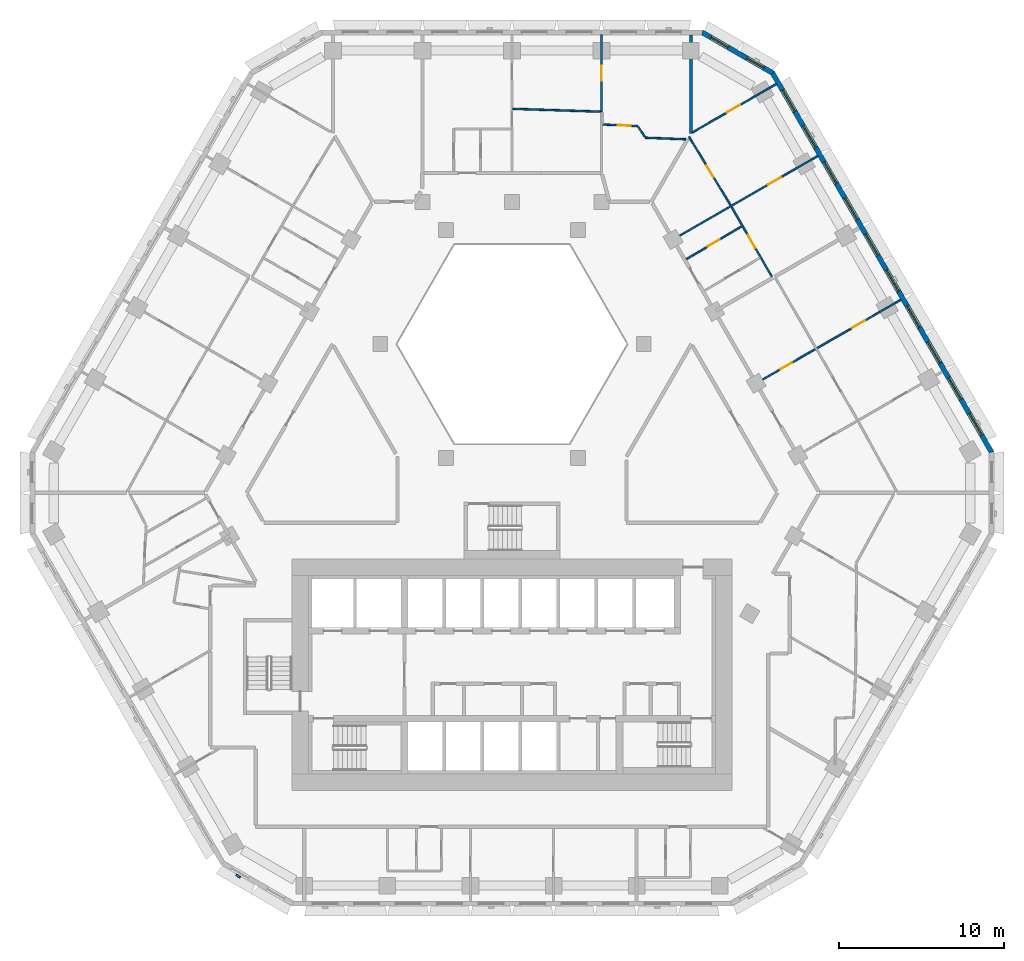
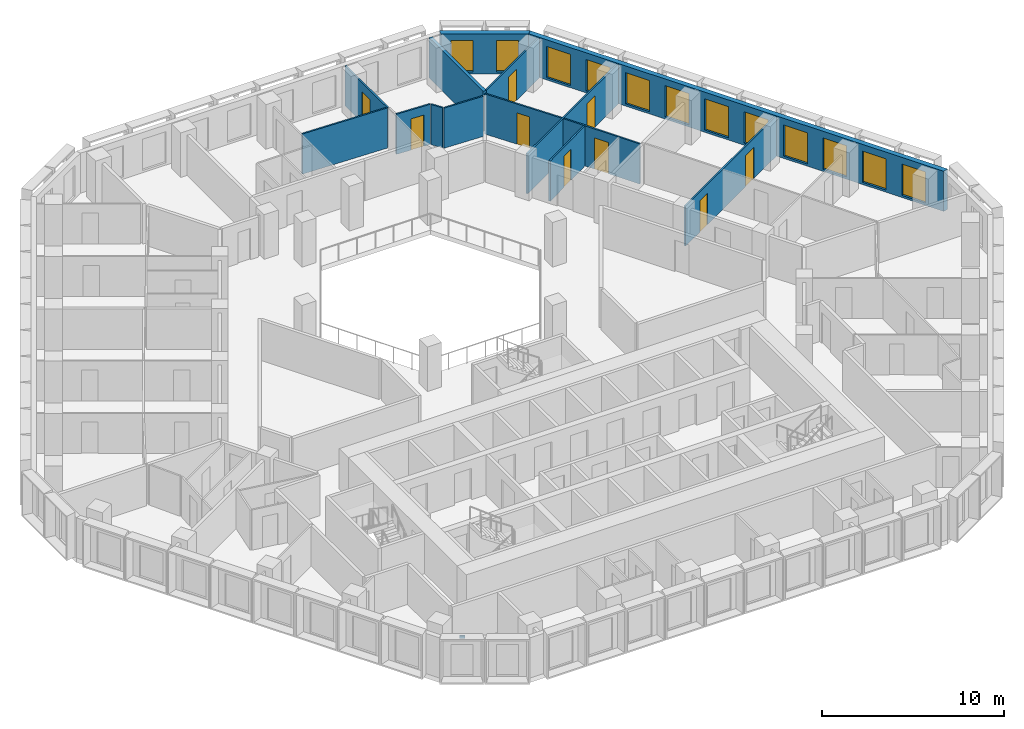
# One storey, part 10 of 18: 14 walls, 12 windows, 9 doors, 1 discrete accessory, 21 openings.
"""IFC4 building model written with IfcOpenShell, lengths in metres."""

from ifc_helpers import new_model, si_unit, direction, frame, frame_2d, origin, place, context, subcontext, project, spatial, polyline, rectangle, outline, extrude, source, transform, mapped, material, layer, layer_set, type_object, type_shapes, element, fill, save


model = new_model("IFC4")

# Units and contexts
model_context = context("Model", 3, precision=1e-05, world=origin(), true_north=direction((0.0, 1.0)))
body_context = subcontext(model_context, "Body", "Model", "MODEL_VIEW")
ifc_project = project(units=[si_unit("LENGTHUNIT", "METRE"), si_unit("AREAUNIT", "SQUARE_METRE"), si_unit("VOLUMEUNIT", "CUBIC_METRE"), si_unit("PLANEANGLEUNIT", "RADIAN"), si_unit("MASSUNIT", "GRAM", prefix="KILO")], contexts=[model_context])

# Site, building, storey
site_placement = place(None, origin())
site = spatial("IfcSite", under=ifc_project, at=site_placement, CompositionType="ELEMENT")
building_placement = place(site_placement, origin())
building = spatial("IfcBuilding", under=site, at=building_placement, Name="Beryl Residences", CompositionType="ELEMENT")
storey_placement = place(building_placement, frame((0.0, 0.0, 93.0)))
storey = spatial("IfcBuildingStorey", under=building, at=storey_placement, Name="L28", CompositionType="ELEMENT", Elevation=93.0)

# Wall, openings, windows
ifc_material_1 = material(Name="Composite metal panel with mineral wool insulation")
ifc_layer_1 = layer(ifc_material_1, 0.300048828125)
ifc_layer_set_1 = layer_set([ifc_layer_1], Name="ES1 pale metal composite panel wall 300 mm")
wall_type_1 = type_object("IfcWallType", Name="ES1 pale metal composite panel wall 300 mm", PredefinedType="SOLIDWALL", material=ifc_layer_set_1)
wall_1_placement = place(storey_placement, frame((29.027099609375, 1.425048828125, 0.0), z_axis=(0.0, 0.0, 1.0), x_axis=(-0.500027479704, 0.866009537788, 0.0)))
wall_1 = element("IfcWall", 1, at=wall_1_placement, inside=storey, type_object=wall_type_1, Name="ES1 external wall L28 NE", PredefinedType="SOLIDWALL", context=body_context, shape_type="SweptSolid", body=[
    extrude(outline(polyline([(0.0, -0.14990234375), (26.55859375, -0.14990234375), (26.478271484375, 0.14990234375), (0.080322265625, 0.14990234375), (0.0, -0.14990234375)])), origin(), (0.0, 0.0, 1.0), 2.699951171875),
])
opening_1_placement = place(wall_1_placement, frame((1.22705078125, 0.0, 0.14990234375)))
opening_1 = element("IfcOpeningElement", 2, at=opening_1_placement, cuts=wall_1, Name="Opening W1", PredefinedType="OPENING", context=body_context, shape_type="SweptSolid", body=[
    extrude(rectangle(XDim=1.5, YDim=2.10009765625, at=frame_2d((0.75, 1.050048828125))), frame((0.0, 0.159912109375, 0.0), z_axis=(0.0, -1.0, 0.0), x_axis=(1.0, 0.0, 0.0)), (0.0, 0.0, 1.0), 0.320068359375),
])
opening_2_placement = place(wall_1_placement, frame((3.738037109375, 0.0, 0.14990234375)))
opening_2 = element("IfcOpeningElement", 3, at=opening_2_placement, cuts=wall_1, Name="Opening W1", PredefinedType="OPENING", context=body_context, shape_type="SweptSolid", body=[
    extrude(rectangle(XDim=1.5, YDim=2.10009765625, at=frame_2d((0.75, 1.050048828125))), frame((0.0, 0.159912109375, 0.0), z_axis=(0.0, -1.0, 0.0), x_axis=(1.0, 0.0, 0.0)), (0.0, 0.0, 1.0), 0.320068359375),
])
opening_3_placement = place(wall_1_placement, frame((6.25, 0.0, 0.14990234375)))
opening_3 = element("IfcOpeningElement", 4, at=opening_3_placement, cuts=wall_1, Name="Opening W1", PredefinedType="OPENING", context=body_context, shape_type="SweptSolid", body=[
    extrude(rectangle(XDim=1.5, YDim=2.10009765625, at=frame_2d((0.75, 1.050048828125))), frame((0.0, 0.159912109375, 0.0), z_axis=(0.0, -1.0, 0.0), x_axis=(1.0, 0.0, 0.0)), (0.0, 0.0, 1.0), 0.320068359375),
])
opening_4_placement = place(wall_1_placement, frame((8.760986328125, 0.0, 0.14990234375)))
opening_4 = element("IfcOpeningElement", 5, at=opening_4_placement, cuts=wall_1, Name="Opening W1", PredefinedType="OPENING", context=body_context, shape_type="SweptSolid", body=[
    extrude(rectangle(XDim=1.5, YDim=2.10009765625, at=frame_2d((0.75, 1.050048828125))), frame((0.0, 0.159912109375, 0.0), z_axis=(0.0, -1.0, 0.0), x_axis=(1.0, 0.0, 0.0)), (0.0, 0.0, 1.0), 0.320068359375),
])
opening_5_placement = place(wall_1_placement, frame((11.27294921875, 0.0, 0.14990234375)))
opening_5 = element("IfcOpeningElement", 6, at=opening_5_placement, cuts=wall_1, Name="Opening W1", PredefinedType="OPENING", context=body_context, shape_type="SweptSolid", body=[
    extrude(rectangle(XDim=1.5, YDim=2.10009765625, at=frame_2d((0.75, 1.050048828125))), frame((0.0, 0.159912109375, 0.0), z_axis=(0.0, -1.0, 0.0), x_axis=(1.0, 0.0, 0.0)), (0.0, 0.0, 1.0), 0.320068359375),
])
opening_6_placement = place(wall_1_placement, frame((13.784912109375, 0.0, 0.14990234375)))
opening_6 = element("IfcOpeningElement", 7, at=opening_6_placement, cuts=wall_1, Name="Opening W1", PredefinedType="OPENING", context=body_context, shape_type="SweptSolid", body=[
    extrude(rectangle(XDim=1.5, YDim=2.10009765625, at=frame_2d((0.75, 1.050048828125))), frame((0.0, 0.159912109375, 0.0), z_axis=(0.0, -1.0, 0.0), x_axis=(1.0, 0.0, 0.0)), (0.0, 0.0, 1.0), 0.320068359375),
])
opening_7_placement = place(wall_1_placement, frame((16.2958984375, 0.0, 0.14990234375)))
opening_7 = element("IfcOpeningElement", 8, at=opening_7_placement, cuts=wall_1, Name="Opening W1", PredefinedType="OPENING", context=body_context, shape_type="SweptSolid", body=[
    extrude(rectangle(XDim=1.5, YDim=2.10009765625, at=frame_2d((0.75, 1.050048828125))), frame((0.0, 0.159912109375, 0.0), z_axis=(0.0, -1.0, 0.0), x_axis=(1.0, 0.0, 0.0)), (0.0, 0.0, 1.0), 0.320068359375),
])
opening_8_placement = place(wall_1_placement, frame((18.806884765625, 0.0, 0.14990234375)))
opening_8 = element("IfcOpeningElement", 9, at=opening_8_placement, cuts=wall_1, Name="Opening W1", PredefinedType="OPENING", context=body_context, shape_type="SweptSolid", body=[
    extrude(rectangle(XDim=1.5, YDim=2.10009765625, at=frame_2d((0.75, 1.050048828125))), frame((0.0, 0.159912109375, 0.0), z_axis=(0.0, -1.0, 0.0), x_axis=(1.0, 0.0, 0.0)), (0.0, 0.0, 1.0), 0.320068359375),
])
opening_9_placement = place(wall_1_placement, frame((21.319091796875, 0.0, 0.14990234375)))
opening_9 = element("IfcOpeningElement", 10, at=opening_9_placement, cuts=wall_1, Name="Opening W1", PredefinedType="OPENING", context=body_context, shape_type="SweptSolid", body=[
    extrude(rectangle(XDim=1.5, YDim=2.10009765625, at=frame_2d((0.75, 1.050048828125))), frame((0.0, 0.159912109375, 0.0), z_axis=(0.0, -1.0, 0.0), x_axis=(1.0, 0.0, 0.0)), (0.0, 0.0, 1.0), 0.320068359375),
])
opening_10_placement = place(wall_1_placement, frame((23.8310546875, 0.0, 0.14990234375)))
opening_10 = element("IfcOpeningElement", 11, at=opening_10_placement, cuts=wall_1, Name="Opening W1", PredefinedType="OPENING", context=body_context, shape_type="SweptSolid", body=[
    extrude(rectangle(XDim=1.5, YDim=2.10009765625, at=frame_2d((0.75, 1.050048828125))), frame((0.0, 0.159912109375, 0.0), z_axis=(0.0, -1.0, 0.0), x_axis=(1.0, 0.0, 0.0)), (0.0, 0.0, 1.0), 0.320068359375),
])
ifc_material_2 = material(Name="Aluminium and clear glass", Category="aluminium")
window_type_1 = type_object("IfcWindowType", Name="W1 cell window 1500 x 2100 mm", PartitioningType="SINGLE_PANEL", PredefinedType="WINDOW", material=ifc_material_2)
window_1_placement = place(opening_1_placement, origin())
window_1 = element("IfcWindow", 12, at=window_1_placement, inside=storey, type_object=window_type_1, Name="W1 window L28 NE 1", OverallHeight=2.10009765625, OverallWidth=1.5, PartitioningType="SINGLE_PANEL", PredefinedType="WINDOW", context=body_context, shape_type="SweptSolid", body=[
    extrude(rectangle(XDim=1.5, YDim=2.10009765625, at=frame_2d((0.75, 1.050048828125))), frame((0.0, 0.030029296875, 0.0), z_axis=(0.0, -1.0, 0.0), x_axis=(1.0, 0.0, 0.0)), (0.0, 0.0, 1.0), 0.06005859375),
])
fill(opening_1, window_1)
window_2_placement = place(opening_2_placement, origin())
window_2 = element("IfcWindow", 13, at=window_2_placement, inside=storey, type_object=window_type_1, Name="W1 window L28 NE 2", OverallHeight=2.10009765625, OverallWidth=1.5, PartitioningType="SINGLE_PANEL", PredefinedType="WINDOW", context=body_context, shape_type="SweptSolid", body=[
    extrude(rectangle(XDim=1.5, YDim=2.10009765625, at=frame_2d((0.75, 1.050048828125))), frame((0.0, 0.030029296875, 0.0), z_axis=(0.0, -1.0, 0.0), x_axis=(1.0, 0.0, 0.0)), (0.0, 0.0, 1.0), 0.06005859375),
])
fill(opening_2, window_2)
window_3_placement = place(opening_3_placement, origin())
window_3 = element("IfcWindow", 14, at=window_3_placement, inside=storey, type_object=window_type_1, Name="W1 window L28 NE 3", OverallHeight=2.10009765625, OverallWidth=1.5, PartitioningType="SINGLE_PANEL", PredefinedType="WINDOW", context=body_context, shape_type="SweptSolid", body=[
    extrude(rectangle(XDim=1.5, YDim=2.10009765625, at=frame_2d((0.75, 1.050048828125))), frame((0.0, 0.030029296875, 0.0), z_axis=(0.0, -1.0, 0.0), x_axis=(1.0, 0.0, 0.0)), (0.0, 0.0, 1.0), 0.06005859375),
])
fill(opening_3, window_3)
window_4_placement = place(opening_4_placement, origin())
window_4 = element("IfcWindow", 15, at=window_4_placement, inside=storey, type_object=window_type_1, Name="W1 window L28 NE 4", OverallHeight=2.10009765625, OverallWidth=1.5, PartitioningType="SINGLE_PANEL", PredefinedType="WINDOW", context=body_context, shape_type="SweptSolid", body=[
    extrude(rectangle(XDim=1.5, YDim=2.10009765625, at=frame_2d((0.75, 1.050048828125))), frame((0.0, 0.030029296875, 0.0), z_axis=(0.0, -1.0, 0.0), x_axis=(1.0, 0.0, 0.0)), (0.0, 0.0, 1.0), 0.06005859375),
])
fill(opening_4, window_4)
window_5_placement = place(opening_5_placement, origin())
window_5 = element("IfcWindow", 16, at=window_5_placement, inside=storey, type_object=window_type_1, Name="W1 window L28 NE 5", OverallHeight=2.10009765625, OverallWidth=1.5, PartitioningType="SINGLE_PANEL", PredefinedType="WINDOW", context=body_context, shape_type="SweptSolid", body=[
    extrude(rectangle(XDim=1.5, YDim=2.10009765625, at=frame_2d((0.75, 1.050048828125))), frame((0.0, 0.030029296875, 0.0), z_axis=(0.0, -1.0, 0.0), x_axis=(1.0, 0.0, 0.0)), (0.0, 0.0, 1.0), 0.06005859375),
])
fill(opening_5, window_5)
window_6_placement = place(opening_6_placement, origin())
window_6 = element("IfcWindow", 17, at=window_6_placement, inside=storey, type_object=window_type_1, Name="W1 window L28 NE 6", OverallHeight=2.10009765625, OverallWidth=1.5, PartitioningType="SINGLE_PANEL", PredefinedType="WINDOW", context=body_context, shape_type="SweptSolid", body=[
    extrude(rectangle(XDim=1.5, YDim=2.10009765625, at=frame_2d((0.75, 1.050048828125))), frame((0.0, 0.030029296875, 0.0), z_axis=(0.0, -1.0, 0.0), x_axis=(1.0, 0.0, 0.0)), (0.0, 0.0, 1.0), 0.06005859375),
])
fill(opening_6, window_6)
window_7_placement = place(opening_7_placement, origin())
window_7 = element("IfcWindow", 18, at=window_7_placement, inside=storey, type_object=window_type_1, Name="W1 window L28 NE 7", OverallHeight=2.10009765625, OverallWidth=1.5, PartitioningType="SINGLE_PANEL", PredefinedType="WINDOW", context=body_context, shape_type="SweptSolid", body=[
    extrude(rectangle(XDim=1.5, YDim=2.10009765625, at=frame_2d((0.75, 1.050048828125))), frame((0.0, 0.030029296875, 0.0), z_axis=(0.0, -1.0, 0.0), x_axis=(1.0, 0.0, 0.0)), (0.0, 0.0, 1.0), 0.06005859375),
])
fill(opening_7, window_7)
window_8_placement = place(opening_8_placement, origin())
window_8 = element("IfcWindow", 19, at=window_8_placement, inside=storey, type_object=window_type_1, Name="W1 window L28 NE 8", OverallHeight=2.10009765625, OverallWidth=1.5, PartitioningType="SINGLE_PANEL", PredefinedType="WINDOW", context=body_context, shape_type="SweptSolid", body=[
    extrude(rectangle(XDim=1.5, YDim=2.10009765625, at=frame_2d((0.75, 1.050048828125))), frame((0.0, 0.030029296875, 0.0), z_axis=(0.0, -1.0, 0.0), x_axis=(1.0, 0.0, 0.0)), (0.0, 0.0, 1.0), 0.06005859375),
])
fill(opening_8, window_8)
window_9_placement = place(opening_9_placement, origin())
window_9 = element("IfcWindow", 20, at=window_9_placement, inside=storey, type_object=window_type_1, Name="W1 window L28 NE 9", OverallHeight=2.10009765625, OverallWidth=1.5, PartitioningType="SINGLE_PANEL", PredefinedType="WINDOW", context=body_context, shape_type="SweptSolid", body=[
    extrude(rectangle(XDim=1.5, YDim=2.10009765625, at=frame_2d((0.75, 1.050048828125))), frame((0.0, 0.030029296875, 0.0), z_axis=(0.0, -1.0, 0.0), x_axis=(1.0, 0.0, 0.0)), (0.0, 0.0, 1.0), 0.06005859375),
])
fill(opening_9, window_9)
window_10_placement = place(opening_10_placement, origin())
window_10 = element("IfcWindow", 21, at=window_10_placement, inside=storey, type_object=window_type_1, Name="W1 window L28 NE 10", OverallHeight=2.10009765625, OverallWidth=1.5, PartitioningType="SINGLE_PANEL", PredefinedType="WINDOW", context=body_context, shape_type="SweptSolid", body=[
    extrude(rectangle(XDim=1.5, YDim=2.10009765625, at=frame_2d((0.75, 1.050048828125))), frame((0.0, 0.030029296875, 0.0), z_axis=(0.0, -1.0, 0.0), x_axis=(1.0, 0.0, 0.0)), (0.0, 0.0, 1.0), 0.06005859375),
])
fill(opening_10, window_10)

wall_2_placement = place(storey_placement, frame((15.802001953125, 24.3701171875, 0.0), z_axis=(0.0, 0.0, 1.0), x_axis=(-0.866022959057, 0.500004234368, 0.0)))
wall_2 = element("IfcWall", 22, at=wall_2_placement, inside=storey, type_object=wall_type_1, Name="ES1 external wall L28 NE-N", PredefinedType="SOLIDWALL", context=body_context, shape_type="SweptSolid", body=[
    extrude(outline(polyline([(0.0, -0.14990234375), (5.0, -0.14990234375), (4.919677734375, 0.14990234375), (0.080322265625, 0.14990234375), (0.0, -0.14990234375)])), origin(), (0.0, 0.0, 1.0), 2.699951171875),
])
opening_11_placement = place(wall_2_placement, frame((0.64990234375, 0.0, 0.14990234375)))
opening_11 = element("IfcOpeningElement", 23, at=opening_11_placement, cuts=wall_2, Name="Opening W2", PredefinedType="OPENING", context=body_context, shape_type="SweptSolid", body=[
    extrude(rectangle(XDim=1.199951171875, YDim=2.10009765625, at=frame_2d((0.60009765625, 1.050048828125))), frame((0.0, 0.159912109375, 0.0), z_axis=(0.0, -1.0, 0.0), x_axis=(1.0, 0.0, 0.0)), (0.0, 0.0, 1.0), 0.320068359375),
])
opening_12_placement = place(wall_2_placement, frame((3.14990234375, 0.0, 0.14990234375)))
opening_12 = element("IfcOpeningElement", 24, at=opening_12_placement, cuts=wall_2, Name="Opening W2", PredefinedType="OPENING", context=body_context, shape_type="SweptSolid", body=[
    extrude(rectangle(XDim=1.199951171875, YDim=2.10009765625, at=frame_2d((0.60009765625, 1.050048828125))), frame((0.0, 0.159912109375, 0.0), z_axis=(0.0, -1.0, 0.0), x_axis=(1.0, 0.0, 0.0)), (0.0, 0.0, 1.0), 0.320068359375),
])
ifc_material_3 = material(Name="Aluminium and clear glass", Category="aluminium")
window_type_2 = type_object("IfcWindowType", Name="W2 chamfer window 1200 x 2100 mm", PartitioningType="SINGLE_PANEL", PredefinedType="WINDOW", material=ifc_material_3)
window_11_placement = place(opening_11_placement, origin())
window_11 = element("IfcWindow", 25, at=window_11_placement, inside=storey, type_object=window_type_2, Name="W2 window L28 NE-N 1", OverallHeight=2.10009765625, OverallWidth=1.199951171875, PartitioningType="SINGLE_PANEL", PredefinedType="WINDOW", context=body_context, shape_type="SweptSolid", body=[
    extrude(rectangle(XDim=1.199951171875, YDim=2.10009765625, at=frame_2d((0.60009765625, 1.050048828125))), frame((0.0, 0.030029296875, 0.0), z_axis=(0.0, -1.0, 0.0), x_axis=(1.0, 0.0, 0.0)), (0.0, 0.0, 1.0), 0.06005859375),
])
fill(opening_11, window_11)
window_12_placement = place(opening_12_placement, origin())
window_12 = element("IfcWindow", 26, at=window_12_placement, inside=storey, type_object=window_type_2, Name="W2 window L28 NE-N 2", OverallHeight=2.10009765625, OverallWidth=1.199951171875, PartitioningType="SINGLE_PANEL", PredefinedType="WINDOW", context=body_context, shape_type="SweptSolid", body=[
    extrude(rectangle(XDim=1.199951171875, YDim=2.10009765625, at=frame_2d((0.60009765625, 1.050048828125))), frame((0.0, 0.030029296875, 0.0), z_axis=(0.0, -1.0, 0.0), x_axis=(1.0, 0.0, 0.0)), (0.0, 0.0, 1.0), 0.06005859375),
])
fill(opening_12, window_12)

# Wall
ifc_material_4 = material(Name="Gypsum board partition on steel studs", Category="steel")
ifc_layer_2 = layer(ifc_material_4, 0.10009765625)
ifc_layer_set_2 = layer_set([ifc_layer_2], Name="PT1 partition 100 mm gypsum board on steel studs")
wall_type_2 = type_object("IfcWallType", Name="PT1 partition 100 mm gypsum board on steel studs", PredefinedType="PARTITIONING", material=ifc_layer_set_2)
wall_3_placement = place(storey_placement, frame((7.64306640625, 21.12890625, 0.0), z_axis=(0.0, 0.0, 1.0), x_axis=(0.540427628168, -0.841390503104, 0.0)))
element("IfcWall", 27, at=wall_3_placement, inside=storey, type_object=wall_type_2, Name="Wall PT1 L28 001", PredefinedType="PARTITIONING", context=body_context, shape_type="SweptSolid", body=[
    extrude(rectangle(XDim=0.710693359375, YDim=0.10009765625, at=frame_2d((0.35546875, 0.0))), origin(), (0.0, 0.0, 1.0), 2.699951171875),
])

# Wall, opening, door
wall_4_placement = place(storey_placement, frame((10.7060546875, 20.54296875, 0.0), z_axis=(0.0, 0.0, 1.0), x_axis=(0.518240414093, -0.855234981278, 0.0)))
wall_4 = element("IfcWall", 28, at=wall_4_placement, inside=storey, type_object=wall_type_2, Name="Wall PT1 L28 002", PredefinedType="PARTITIONING", context=body_context, shape_type="SweptSolid", body=[
    extrude(rectangle(XDim=4.854736328125, YDim=0.10009765625, at=frame_2d((2.42724609375, 0.0))), origin(), (0.0, 0.0, 1.0), 2.699951171875),
])
opening_13_placement = place(wall_4_placement, frame((2.052001953125, 0.0, 0.0)))
opening_13 = element("IfcOpeningElement", 29, at=opening_13_placement, cuts=wall_4, Name="Opening D0733", PredefinedType="OPENING", context=body_context, shape_type="SweptSolid", body=[
    extrude(rectangle(XDim=0.800048828125, YDim=2.10009765625, at=frame_2d((0.39990234375, 1.050048828125))), frame((0.0, 0.06005859375, 0.0), z_axis=(0.0, -1.0, 0.0), x_axis=(1.0, 0.0, 0.0)), (0.0, 0.0, 1.0), 0.1201171875),
])
ifc_material_5 = material(Name="Timber door leaf", Category="wood")
door_type_1 = type_object("IfcDoorType", Name="D3 bathroom door 800 x 2100 mm", OperationType="SINGLE_SWING_LEFT", PredefinedType="DOOR", material=ifc_material_5)
door_1_placement = place(opening_13_placement, origin())
door_1 = element("IfcDoor", 30, at=door_1_placement, inside=storey, type_object=door_type_1, Name="Door D0733 L28 001", OperationType="SINGLE_SWING_LEFT", OverallHeight=2.10009765625, OverallWidth=0.800048828125, PredefinedType="DOOR", context=body_context, shape_type="SweptSolid", body=[
    extrude(rectangle(XDim=0.800048828125, YDim=2.10009765625, at=frame_2d((0.39990234375, 1.050048828125))), frame((0.0, 0.02490234375, 0.0), z_axis=(0.0, -1.0, 0.0), x_axis=(1.0, 0.0, 0.0)), (0.0, 0.0, 1.0), 0.050048828125),
])
fill(opening_13, door_1)

wall_5_placement = place(storey_placement, frame((13.27294921875, 16.304931640625, 0.0), z_axis=(0.0, 0.0, 1.0), x_axis=(0.500093956194, -0.865971151354, 0.0)))
wall_5 = element("IfcWall", 31, at=wall_5_placement, inside=storey, type_object=wall_type_2, Name="Wall PT1 L28 003", PredefinedType="PARTITIONING", context=body_context, shape_type="SweptSolid", body=[
    extrude(rectangle(XDim=4.873046875, YDim=0.10009765625, at=frame_2d((2.4365234375, 0.0))), origin(), (0.0, 0.0, 1.0), 2.699951171875),
])
opening_14_placement = place(wall_5_placement, frame((1.987060546875, 0.0, 0.0)))
opening_14 = element("IfcOpeningElement", 32, at=opening_14_placement, cuts=wall_5, Name="Opening D0730", PredefinedType="OPENING", context=body_context, shape_type="SweptSolid", body=[
    extrude(rectangle(XDim=0.89990234375, YDim=2.10009765625, at=frame_2d((0.449951171875, 1.050048828125))), frame((0.0, 0.06005859375, 0.0), z_axis=(0.0, -1.0, 0.0), x_axis=(1.0, 0.0, 0.0)), (0.0, 0.0, 1.0), 0.1201171875),
])
ifc_material_6 = material(Name="Timber door leaf", Category="wood")
door_type_2 = type_object("IfcDoorType", Name="D2 room door 900 x 2100 mm", OperationType="SINGLE_SWING_LEFT", PredefinedType="DOOR", material=ifc_material_6)
door_2_placement = place(opening_14_placement, origin())
door_2 = element("IfcDoor", 33, at=door_2_placement, inside=storey, type_object=door_type_2, Name="Door D0730 L28 001", OperationType="SINGLE_SWING_RIGHT", OverallHeight=2.10009765625, OverallWidth=0.89990234375, PredefinedType="DOOR", context=body_context, shape_type="SweptSolid", body=[
    extrude(rectangle(XDim=0.89990234375, YDim=2.10009765625, at=frame_2d((0.449951171875, 1.050048828125))), frame((0.0, 0.02490234375, 0.0), z_axis=(0.0, -1.0, 0.0), x_axis=(1.0, 0.0, 0.0)), (0.0, 0.0, 1.0), 0.050048828125),
])
fill(opening_14, door_2)

# Walls
wall_6_placement = place(storey_placement, frame((8.06005859375, 20.47998046875, 0.0), z_axis=(0.0, 0.0, 1.0), x_axis=(0.999243345912, -0.038893902497, 0.0)))
element("IfcWall", 34, at=wall_6_placement, inside=storey, type_object=wall_type_2, Name="Wall PT1 L28 015", PredefinedType="PARTITIONING", context=body_context, shape_type="SweptSolid", body=[
    extrude(rectangle(XDim=2.44189453125, YDim=0.10009765625, at=frame_2d((1.220947265625, 0.0))), origin(), (0.0, 0.0, 1.0), 2.699951171875),
])
wall_7_placement = place(storey_placement, frame((0.049072265625, 22.22802734375, 0.0), z_axis=(0.0, 0.0, 1.0), x_axis=(0.99947566488, -0.032378933174, 0.0)))
element("IfcWall", 35, at=wall_7_placement, inside=storey, type_object=wall_type_2, Name="Wall PT1 L28 016", PredefinedType="PARTITIONING", context=body_context, shape_type="SweptSolid", body=[
    extrude(rectangle(XDim=5.315673828125, YDim=0.10009765625, at=frame_2d((2.65771484375, 0.0))), origin(), (0.0, 0.0, 1.0), 2.699951171875),
])

# Wall, opening, door
wall_8_placement = place(storey_placement, frame((5.489990234375, 21.280029296875, 0.0), z_axis=(0.0, 0.0, 1.0), x_axis=(0.998907627838, -0.046728482187, 0.0)))
wall_8 = element("IfcWall", 36, at=wall_8_placement, inside=storey, type_object=wall_type_2, Name="Wall PT1 L28 017", PredefinedType="PARTITIONING", context=body_context, shape_type="SweptSolid", body=[
    extrude(rectangle(XDim=2.12109375, YDim=0.10009765625, at=frame_2d((1.060546875, 0.0))), origin(), (0.0, 0.0, 1.0), 2.699951171875),
])
opening_15_placement = place(wall_8_placement, frame((0.902099609375, 0.0, 0.0)))
opening_15 = element("IfcOpeningElement", 37, at=opening_15_placement, cuts=wall_8, Name="Opening D0740", PredefinedType="OPENING", context=body_context, shape_type="SweptSolid", body=[
    extrude(rectangle(XDim=0.800048828125, YDim=2.10009765625, at=frame_2d((0.39990234375, 1.050048828125))), frame((0.0, 0.06005859375, 0.0), z_axis=(0.0, -1.0, 0.0), x_axis=(1.0, 0.0, 0.0)), (0.0, 0.0, 1.0), 0.1201171875),
])
door_3_placement = place(opening_15_placement, origin())
door_3 = element("IfcDoor", 38, at=door_3_placement, inside=storey, type_object=door_type_1, Name="Door D0740 L28 001", OperationType="SINGLE_SWING_RIGHT", OverallHeight=2.10009765625, OverallWidth=0.800048828125, PredefinedType="DOOR", context=body_context, shape_type="SweptSolid", body=[
    extrude(rectangle(XDim=0.800048828125, YDim=2.10009765625, at=frame_2d((0.39990234375, 1.050048828125))), frame((0.0, 0.02490234375, 0.0), z_axis=(0.0, -1.0, 0.0), x_axis=(1.0, 0.0, 0.0)), (0.0, 0.0, 1.0), 0.050048828125),
])
fill(opening_15, door_3)

wall_9_placement = place(storey_placement, frame((5.412109375, 22.054931640625, 0.0), z_axis=(0.0, 0.0, 1.0), x_axis=(0.0, 1.0, 0.0)))
wall_9 = element("IfcWall", 39, at=wall_9_placement, inside=storey, type_object=wall_type_2, Name="Wall PT1 L28 040", PredefinedType="PARTITIONING", context=body_context, shape_type="SweptSolid", body=[
    extrude(rectangle(XDim=4.64501953125, YDim=0.10009765625, at=frame_2d((2.322509765625, 0.0))), origin(), (0.0, 0.0, 1.0), 2.699951171875),
])
opening_16_placement = place(wall_9_placement, frame((1.873046875, 0.0, 0.0)))
opening_16 = element("IfcOpeningElement", 40, at=opening_16_placement, cuts=wall_9, Name="Opening D0739", PredefinedType="OPENING", context=body_context, shape_type="SweptSolid", body=[
    extrude(rectangle(XDim=0.89990234375, YDim=2.10009765625, at=frame_2d((0.449951171875, 1.050048828125))), frame((0.0, 0.06005859375, 0.0), z_axis=(0.0, -1.0, 0.0), x_axis=(1.0, 0.0, 0.0)), (0.0, 0.0, 1.0), 0.1201171875),
])
door_4_placement = place(opening_16_placement, origin())
door_4 = element("IfcDoor", 41, at=door_4_placement, inside=storey, type_object=door_type_2, Name="Door D0739 L28 001", OperationType="SINGLE_SWING_LEFT", OverallHeight=2.10009765625, OverallWidth=0.89990234375, PredefinedType="DOOR", context=body_context, shape_type="SweptSolid", body=[
    extrude(rectangle(XDim=0.89990234375, YDim=2.10009765625, at=frame_2d((0.449951171875, 1.050048828125))), frame((0.0, 0.02490234375, 0.0), z_axis=(0.0, -1.0, 0.0), x_axis=(1.0, 0.0, 0.0)), (0.0, 0.0, 1.0), 0.050048828125),
])
fill(opening_16, door_4)

# Wall, openings, doors
wall_10_placement = place(storey_placement, frame((14.85302734375, 5.675048828125, 0.0), z_axis=(0.0, 0.0, 1.0), x_axis=(0.866016855193, 0.500014806302, 0.0)))
wall_10 = element("IfcWall", 42, at=wall_10_placement, inside=storey, type_object=wall_type_2, Name="Wall PT1 L28 053", PredefinedType="PARTITIONING", context=body_context, shape_type="SweptSolid", body=[
    extrude(rectangle(XDim=9.999755859375, YDim=0.10009765625, at=frame_2d((5.0, 0.0))), origin(), (0.0, 0.0, 1.0), 2.699951171875),
])
opening_17_placement = place(wall_10_placement, frame((1.60009765625, 0.0, 0.0)))
opening_17 = element("IfcOpeningElement", 43, at=opening_17_placement, cuts=wall_10, Name="Opening D0723", PredefinedType="OPENING", context=body_context, shape_type="SweptSolid", body=[
    extrude(rectangle(XDim=0.800048828125, YDim=2.10009765625, at=frame_2d((0.39990234375, 1.050048828125))), frame((0.0, 0.06005859375, 0.0), z_axis=(0.0, -1.0, 0.0), x_axis=(1.0, 0.0, 0.0)), (0.0, 0.0, 1.0), 0.1201171875),
])
opening_18_placement = place(wall_10_placement, frame((6.60009765625, 0.0, 0.0)))
opening_18 = element("IfcOpeningElement", 44, at=opening_18_placement, cuts=wall_10, Name="Opening D0726", PredefinedType="OPENING", context=body_context, shape_type="SweptSolid", body=[
    extrude(rectangle(XDim=0.89990234375, YDim=2.10009765625, at=frame_2d((0.449951171875, 1.050048828125))), frame((0.0, 0.06005859375, 0.0), z_axis=(0.0, -1.0, 0.0), x_axis=(1.0, 0.0, 0.0)), (0.0, 0.0, 1.0), 0.1201171875),
])
door_5_placement = place(opening_18_placement, origin())
door_5 = element("IfcDoor", 45, at=door_5_placement, inside=storey, type_object=door_type_2, Name="Door D0726 L28 001", OperationType="SINGLE_SWING_RIGHT", OverallHeight=2.10009765625, OverallWidth=0.89990234375, PredefinedType="DOOR", context=body_context, shape_type="SweptSolid", body=[
    extrude(rectangle(XDim=0.89990234375, YDim=2.10009765625, at=frame_2d((0.449951171875, 1.050048828125))), frame((0.0, 0.02490234375, 0.0), z_axis=(0.0, -1.0, 0.0), x_axis=(1.0, 0.0, 0.0)), (0.0, 0.0, 1.0), 0.050048828125),
])
fill(opening_18, door_5)
door_6_placement = place(opening_17_placement, origin())
door_6 = element("IfcDoor", 46, at=door_6_placement, inside=storey, type_object=door_type_1, Name="Door D0723 L28 001", OperationType="SINGLE_SWING_LEFT", OverallHeight=2.10009765625, OverallWidth=0.800048828125, PredefinedType="DOOR", context=body_context, shape_type="SweptSolid", body=[
    extrude(rectangle(XDim=0.800048828125, YDim=2.10009765625, at=frame_2d((0.39990234375, 1.050048828125))), frame((0.0, 0.02490234375, 0.0), z_axis=(0.0, -1.0, 0.0), x_axis=(1.0, 0.0, 0.0)), (0.0, 0.0, 1.0), 0.050048828125),
])
fill(opening_17, door_6)

# Wall, opening, door
wall_11_placement = place(storey_placement, frame((9.830078125, 14.375, 0.0), z_axis=(0.0, 0.0, 1.0), x_axis=(0.866016855193, 0.500014806302, 0.0)))
wall_11 = element("IfcWall", 47, at=wall_11_placement, inside=storey, type_object=wall_type_2, Name="Wall PT1 L28 056", PredefinedType="PARTITIONING", context=body_context, shape_type="SweptSolid", body=[
    extrude(rectangle(XDim=9.999755859375, YDim=0.10009765625, at=frame_2d((5.0, 0.0))), origin(), (0.0, 0.0, 1.0), 2.699951171875),
])
opening_19_placement = place(wall_11_placement, frame((6.52294921875, 0.0, 0.0)))
opening_19 = element("IfcOpeningElement", 48, at=opening_19_placement, cuts=wall_11, Name="Opening D0731", PredefinedType="OPENING", context=body_context, shape_type="SweptSolid", body=[
    extrude(rectangle(XDim=0.89990234375, YDim=2.10009765625, at=frame_2d((0.449951171875, 1.050048828125))), frame((0.0, 0.06005859375, 0.0), z_axis=(0.0, -1.0, 0.0), x_axis=(1.0, 0.0, 0.0)), (0.0, 0.0, 1.0), 0.1201171875),
])
door_7_placement = place(opening_19_placement, origin())
door_7 = element("IfcDoor", 49, at=door_7_placement, inside=storey, type_object=door_type_2, Name="Door D0731 L28 001", OperationType="SINGLE_SWING_LEFT", OverallHeight=2.10009765625, OverallWidth=0.89990234375, PredefinedType="DOOR", context=body_context, shape_type="SweptSolid", body=[
    extrude(rectangle(XDim=0.89990234375, YDim=2.10009765625, at=frame_2d((0.449951171875, 1.050048828125))), frame((0.0, 0.02490234375, 0.0), z_axis=(0.0, -1.0, 0.0), x_axis=(1.0, 0.0, 0.0)), (0.0, 0.0, 1.0), 0.050048828125),
])
fill(opening_19, door_7)

wall_12_placement = place(storey_placement, frame((10.926025390625, 20.80810546875, 0.0), z_axis=(0.0, 0.0, 1.0), x_axis=(0.86600925905, 0.500027962457, 0.0)))
wall_12 = element("IfcWall", 50, at=wall_12_placement, inside=storey, type_object=wall_type_2, Name="Wall PT1 L28 058", PredefinedType="PARTITIONING", context=body_context, shape_type="SweptSolid", body=[
    extrude(rectangle(XDim=5.833740234375, YDim=0.10009765625, at=frame_2d((2.9169921875, 0.0))), origin(), (0.0, 0.0, 1.0), 2.699951171875),
])
opening_20_placement = place(wall_12_placement, frame((2.408935546875, 0.0, 0.0)))
opening_20 = element("IfcOpeningElement", 51, at=opening_20_placement, cuts=wall_12, Name="Opening D0732", PredefinedType="OPENING", context=body_context, shape_type="SweptSolid", body=[
    extrude(rectangle(XDim=0.89990234375, YDim=2.10009765625, at=frame_2d((0.449951171875, 1.050048828125))), frame((0.0, 0.06005859375, 0.0), z_axis=(0.0, -1.0, 0.0), x_axis=(1.0, 0.0, 0.0)), (0.0, 0.0, 1.0), 0.1201171875),
])
door_8_placement = place(opening_20_placement, origin())
door_8 = element("IfcDoor", 52, at=door_8_placement, inside=storey, type_object=door_type_2, Name="Door D0732 L28 001", OperationType="SINGLE_SWING_RIGHT", OverallHeight=2.10009765625, OverallWidth=0.89990234375, PredefinedType="DOOR", context=body_context, shape_type="SweptSolid", body=[
    extrude(rectangle(XDim=0.89990234375, YDim=2.10009765625, at=frame_2d((0.449951171875, 1.050048828125))), frame((0.0, 0.02490234375, 0.0), z_axis=(0.0, -1.0, 0.0), x_axis=(1.0, 0.0, 0.0)), (0.0, 0.0, 1.0), 0.050048828125),
])
fill(opening_20, door_8)

wall_13_placement = place(storey_placement, frame((10.547119140625, 13.133056640625, 0.0), z_axis=(0.0, 0.0, 1.0), x_axis=(0.860090994311, 0.510140648749, 0.0)))
wall_13 = element("IfcWall", 53, at=wall_13_placement, inside=storey, type_object=wall_type_2, Name="Wall PT1 L28 060", PredefinedType="PARTITIONING", context=body_context, shape_type="SweptSolid", body=[
    extrude(rectangle(XDim=3.89697265625, YDim=0.10009765625, at=frame_2d((1.948486328125, 0.0))), origin(), (0.0, 0.0, 1.0), 2.699951171875),
])
opening_21_placement = place(wall_13_placement, frame((1.52294921875, 0.0, 0.0)))
opening_21 = element("IfcOpeningElement", 54, at=opening_21_placement, cuts=wall_13, Name="Opening D0728", PredefinedType="OPENING", context=body_context, shape_type="SweptSolid", body=[
    extrude(rectangle(XDim=0.800048828125, YDim=2.10009765625, at=frame_2d((0.39990234375, 1.050048828125))), frame((0.0, 0.06005859375, 0.0), z_axis=(0.0, -1.0, 0.0), x_axis=(1.0, 0.0, 0.0)), (0.0, 0.0, 1.0), 0.1201171875),
])
door_9_placement = place(opening_21_placement, origin())
door_9 = element("IfcDoor", 55, at=door_9_placement, inside=storey, type_object=door_type_1, Name="Door D0728 L28 001", OperationType="SINGLE_SWING_RIGHT", OverallHeight=2.10009765625, OverallWidth=0.800048828125, PredefinedType="DOOR", context=body_context, shape_type="SweptSolid", body=[
    extrude(rectangle(XDim=0.800048828125, YDim=2.10009765625, at=frame_2d((0.39990234375, 1.050048828125))), frame((0.0, 0.02490234375, 0.0), z_axis=(0.0, -1.0, 0.0), x_axis=(1.0, 0.0, 0.0)), (0.0, 0.0, 1.0), 0.050048828125),
])
fill(opening_21, door_9)

# Wall
ifc_material_7 = material(Name="Acoustic double stud gypsum board wall")
ifc_layer_3 = layer(ifc_material_7, 0.199951171875)
ifc_layer_set_3 = layer_set([ifc_layer_3], Name="PT3 party wall 200 mm acoustic double stud")
wall_type_3 = type_object("IfcWallType", Name="PT3 party wall 200 mm acoustic double stud", PredefinedType="PARTITIONING", material=ifc_layer_set_3)
wall_14_placement = place(storey_placement, frame((10.824951171875, 20.748046875, 0.0), z_axis=(0.0, 0.0, 1.0), x_axis=(0.0, 1.0, 0.0)))
element("IfcWall", 56, at=wall_14_placement, inside=storey, type_object=wall_type_3, Name="Wall PT3 L28 014", PredefinedType="PARTITIONING", context=body_context, shape_type="SweptSolid", body=[
    extrude(rectangle(XDim=5.951904296875, YDim=0.199951171875, at=frame_2d((2.97607421875, 0.0))), origin(), (0.0, 0.0, 1.0), 2.699951171875),
])

# Discrete accessory
ifc_material_8 = material(Name="Steel S355", Category="steel")
discrete_accessory_type = type_object("IfcDiscreteAccessoryType", Name="BR1 frame bracket 300 x 120 x 150 mm", PredefinedType="BRACKET", material=ifc_material_8)
shared_shape = source(origin(), body_context, "Body", "SweptSolid", [
    extrude(outline(polyline([(-0.14990234375, 0.0), (0.14990234375, 0.0), (0.14990234375, 0.1201171875), (-0.14990234375, 0.1201171875), (-0.14990234375, 0.0)])), origin(), (0.0, 0.0, 1.0), 0.14990234375),
])
type_shapes(discrete_accessory_type, [shared_shape])
discrete_accessory_placement = place(storey_placement, frame((-16.527099609375, -24.125, 2.75), z_axis=(0.0, 0.0, 1.0), x_axis=(-0.866025403784, 0.5, 0.0)))
element("IfcDiscreteAccessory", 57, at=discrete_accessory_placement, inside=storey, type_object=discrete_accessory_type, Name="BR1 bracket L28 SW-S 1", PredefinedType="BRACKET", context=body_context, shape_type="MappedRepresentation", body=[
    mapped(shared_shape, transform((0.0, 0.0, 0.0))),
])

save(model, "model.ifc")
